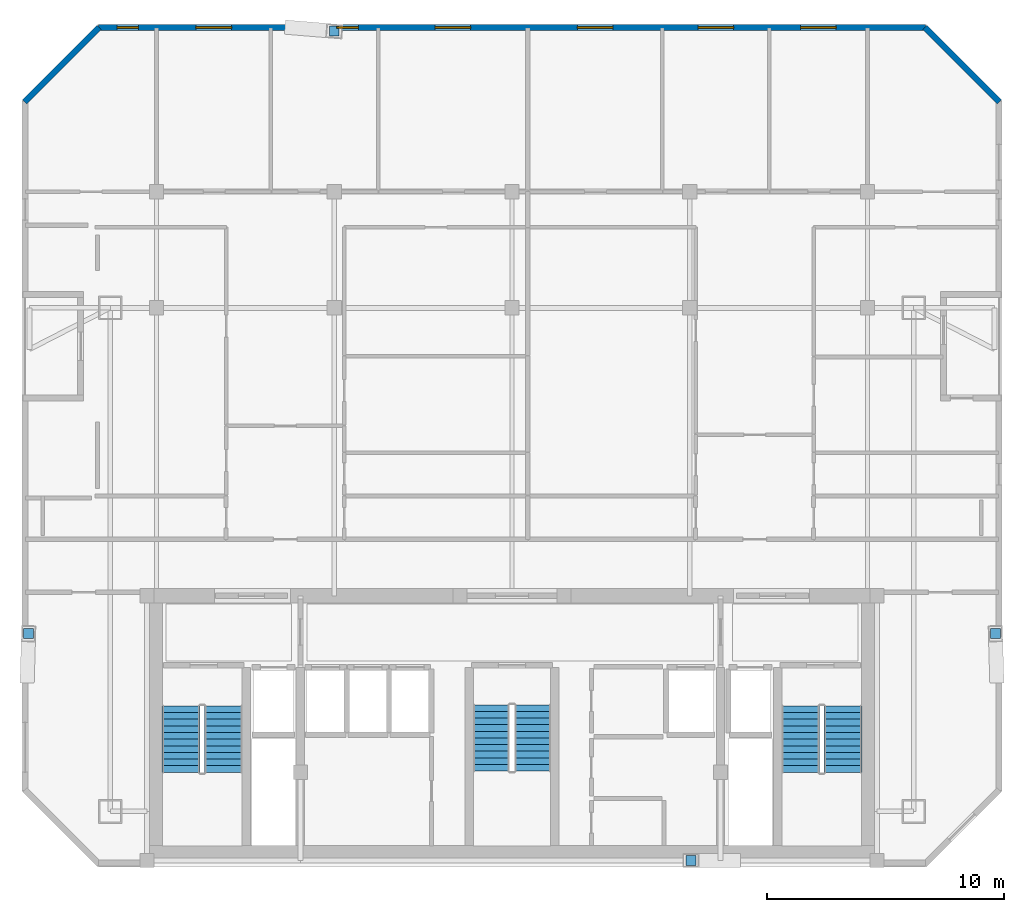
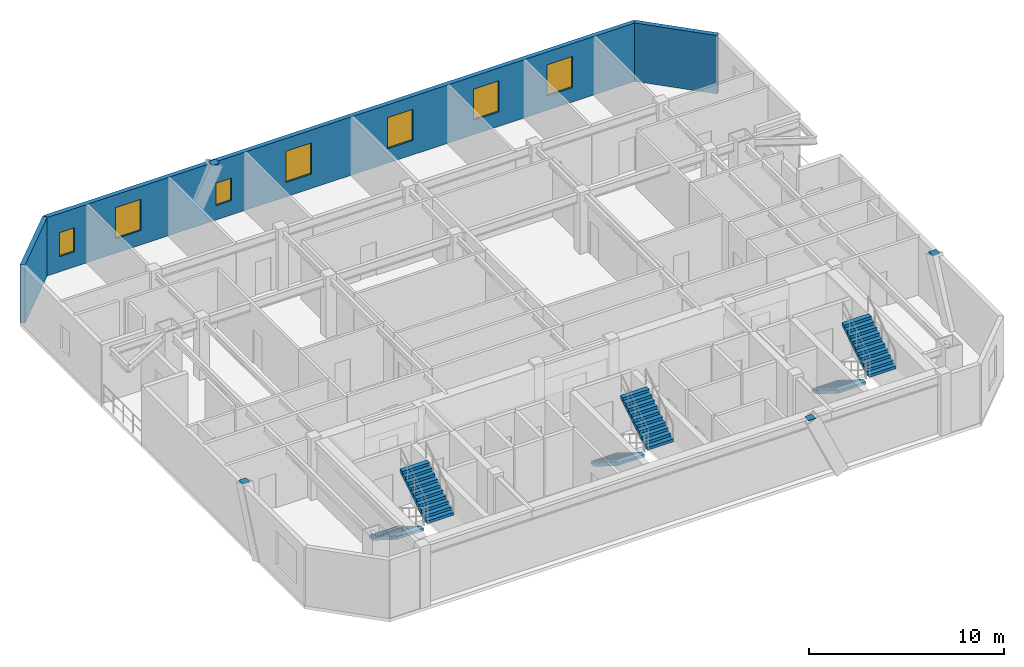
# One storey, part 6 of 7: 7 windows, 6 stair flights, 4 discrete accessories, 3 walls, 7 openings, 3 elements without a shape of their own.
"""IFC4 building model written with IfcOpenShell, lengths in metres."""

from ifc_helpers import new_model, si_unit, direction, frame, frame_2d, origin, origin_2d, place, context, subcontext, project, spatial, polyline, rectangle, outline, extrude, material, layer, layer_set, type_object, element, fill, aggregate, save


model = new_model("IFC4")

# Units and contexts
model_context = context("Model", 3, precision=1e-05, world=origin(), true_north=direction((0.0, 1.0)))
body_context = subcontext(model_context, "Body", "Model", "MODEL_VIEW")
ifc_project = project(units=[si_unit("LENGTHUNIT", "METRE"), si_unit("AREAUNIT", "SQUARE_METRE"), si_unit("VOLUMEUNIT", "CUBIC_METRE"), si_unit("PLANEANGLEUNIT", "RADIAN"), si_unit("MASSUNIT", "GRAM", prefix="KILO")], contexts=[model_context])

# Site, building, storey
site_placement = place(None, origin())
site = spatial("IfcSite", under=ifc_project, at=site_placement, CompositionType="ELEMENT")
building_placement = place(site_placement, origin())
building = spatial("IfcBuilding", under=site, at=building_placement, Name="Ventersveld Concourse Tower", CompositionType="ELEMENT")
storey_placement = place(building_placement, frame((0.0, 0.0, 264.449951171875)))
storey = spatial("IfcBuildingStorey", under=building, at=storey_placement, Name="L65", CompositionType="ELEMENT", Elevation=264.449951171875)

# Wall
ifc_material_1 = material(Name="Precast concrete C45/55", Category="concrete")
ifc_layer = layer(ifc_material_1, 0.260009765625)
ifc_layer_set = layer_set([ifc_layer], Name="Precast concrete C45/55")
wall_type = type_object("IfcWallType", Name="WL-PREC-260", PredefinedType="SOLIDWALL", material=ifc_layer_set)
wall_1_placement = place(storey_placement, frame((49.31103515625, 32.29150390625, 0.0), z_axis=(0.0, 0.0, 1.0), x_axis=(-0.707134240044, 0.707079321262, 0.0)))
element("IfcWall", 1, at=wall_1_placement, inside=storey, type_object=wall_type, Name="L65 Highveld Precast Facade Wall E08", PredefinedType="SOLIDWALL", context=body_context, shape_type="SweptSolid", body=[
    extrude(rectangle(XDim=4.445556640625, YDim=0.260009765625, at=frame_2d((2.22265625, 0.0))), origin(), (0.0, 0.0, 1.0), 3.650146484375),
])

# Wall, openings, windows
wall_2_placement = place(storey_placement, frame((46.191162109375, 35.425048828125, 0.0), z_axis=(0.0, 0.0, 1.0), x_axis=(-1.0, 0.0, 0.0)))
wall_2 = element("IfcWall", 2, at=wall_2_placement, inside=storey, type_object=wall_type, Name="L65 Highveld Precast Facade Wall E09", PredefinedType="SOLIDWALL", context=body_context, shape_type="SweptSolid", body=[
    extrude(rectangle(XDim=34.88232421875, YDim=0.260009765625, at=frame_2d((17.441162109375, 0.0))), origin(), (0.0, 0.0, 1.0), 3.650146484375),
])
opening_1_placement = place(wall_2_placement, frame((33.202392578125, 0.0, 0.949951171875)))
opening_1 = element("IfcOpeningElement", 3, at=opening_1_placement, cuts=wall_2, Name="Opening W4", PredefinedType="OPENING", context=body_context, shape_type="SweptSolid", body=[
    extrude(rectangle(XDim=0.89990234375, YDim=1.5, at=frame_2d((0.449951171875, 0.75))), frame((0.0, 0.14013671875, 0.0), z_axis=(0.0, -1.0, 0.0), x_axis=(1.0, 0.0, 0.0)), (0.0, 0.0, 1.0), 0.280029296875),
])
opening_2_placement = place(wall_2_placement, frame((29.276611328125, 0.0, 0.89990234375)))
opening_2 = element("IfcOpeningElement", 4, at=opening_2_placement, cuts=wall_2, Name="Opening W1", PredefinedType="OPENING", context=body_context, shape_type="SweptSolid", body=[
    extrude(rectangle(XDim=1.5, YDim=1.949951171875, at=frame_2d((0.75, 0.97509765625))), frame((0.0, 0.14013671875, 0.0), z_axis=(0.0, -1.0, 0.0), x_axis=(1.0, 0.0, 0.0)), (0.0, 0.0, 1.0), 0.280029296875),
])
opening_3_placement = place(wall_2_placement, frame((23.9267578125, 0.0, 0.89990234375)))
opening_3 = element("IfcOpeningElement", 5, at=opening_3_placement, cuts=wall_2, Name="Opening W8", PredefinedType="OPENING", context=body_context, shape_type="SweptSolid", body=[
    extrude(rectangle(XDim=0.89990234375, YDim=1.39990234375, at=frame_2d((0.449951171875, 0.699951171875))), frame((0.0, 0.14013671875, 0.0), z_axis=(0.0, -1.0, 0.0), x_axis=(1.0, 0.0, 0.0)), (0.0, 0.0, 1.0), 0.280029296875),
])
opening_4_placement = place(wall_2_placement, frame((19.183349609375, 0.0, 0.89990234375)))
opening_4 = element("IfcOpeningElement", 6, at=opening_4_placement, cuts=wall_2, Name="Opening W1", PredefinedType="OPENING", context=body_context, shape_type="SweptSolid", body=[
    extrude(rectangle(XDim=1.5, YDim=1.949951171875, at=frame_2d((0.75, 0.97509765625))), frame((0.0, 0.14013671875, 0.0), z_axis=(0.0, -1.0, 0.0), x_axis=(1.0, 0.0, 0.0)), (0.0, 0.0, 1.0), 0.280029296875),
])
opening_5_placement = place(wall_2_placement, frame((13.187744140625, 0.0, 0.89990234375)))
opening_5 = element("IfcOpeningElement", 7, at=opening_5_placement, cuts=wall_2, Name="Opening W1", PredefinedType="OPENING", context=body_context, shape_type="SweptSolid", body=[
    extrude(rectangle(XDim=1.5, YDim=1.949951171875, at=frame_2d((0.75, 0.97509765625))), frame((0.0, 0.14013671875, 0.0), z_axis=(0.0, -1.0, 0.0), x_axis=(1.0, 0.0, 0.0)), (0.0, 0.0, 1.0), 0.280029296875),
])
opening_6_placement = place(wall_2_placement, frame((8.092529296875, 0.0, 0.89990234375)))
opening_6 = element("IfcOpeningElement", 8, at=opening_6_placement, cuts=wall_2, Name="Opening W1", PredefinedType="OPENING", context=body_context, shape_type="SweptSolid", body=[
    extrude(rectangle(XDim=1.5, YDim=1.949951171875, at=frame_2d((0.75, 0.97509765625))), frame((0.0, 0.14013671875, 0.0), z_axis=(0.0, -1.0, 0.0), x_axis=(1.0, 0.0, 0.0)), (0.0, 0.0, 1.0), 0.280029296875),
])
opening_7_placement = place(wall_2_placement, frame((3.7626953125, 0.0, 0.89990234375)))
opening_7 = element("IfcOpeningElement", 9, at=opening_7_placement, cuts=wall_2, Name="Opening W1", PredefinedType="OPENING", context=body_context, shape_type="SweptSolid", body=[
    extrude(rectangle(XDim=1.5, YDim=1.949951171875, at=frame_2d((0.75, 0.97509765625))), frame((0.0, 0.14013671875, 0.0), z_axis=(0.0, -1.0, 0.0), x_axis=(1.0, 0.0, 0.0)), (0.0, 0.0, 1.0), 0.280029296875),
])
ifc_material_2 = material(Name="Tempered acoustic Low-E IGU", Category="glass")
window_type_1 = type_object("IfcWindowType", Name="WIN-090x140", PartitioningType="SINGLE_PANEL", PredefinedType="WINDOW", material=ifc_material_2)
window_1_placement = place(opening_3_placement, origin())
window_1 = element("IfcWindow", 10, at=window_1_placement, inside=storey, type_object=window_type_1, Name="L65 Punched Low-E Window W-0926", OverallHeight=1.39990234375, OverallWidth=0.89990234375, PartitioningType="SINGLE_PANEL", PredefinedType="WINDOW", context=body_context, shape_type="SweptSolid", body=[
    extrude(rectangle(XDim=0.89990234375, YDim=1.39990234375, at=frame_2d((0.449951171875, 0.699951171875))), frame((0.0, 0.030029296875, 0.0), z_axis=(0.0, -1.0, 0.0), x_axis=(1.0, 0.0, 0.0)), (0.0, 0.0, 1.0), 0.06005859375),
])
fill(opening_3, window_1)
window_type_2 = type_object("IfcWindowType", Name="WIN-090x150", PartitioningType="SINGLE_PANEL", PredefinedType="WINDOW", material=ifc_material_2)
window_2_placement = place(opening_1_placement, origin())
window_2 = element("IfcWindow", 11, at=window_2_placement, inside=storey, type_object=window_type_2, Name="L65 Punched Low-E Window W-0924", OverallHeight=1.5, OverallWidth=0.89990234375, PartitioningType="SINGLE_PANEL", PredefinedType="WINDOW", context=body_context, shape_type="SweptSolid", body=[
    extrude(rectangle(XDim=0.89990234375, YDim=1.5, at=frame_2d((0.449951171875, 0.75))), frame((0.0, 0.030029296875, 0.0), z_axis=(0.0, -1.0, 0.0), x_axis=(1.0, 0.0, 0.0)), (0.0, 0.0, 1.0), 0.06005859375),
])
fill(opening_1, window_2)
window_type_3 = type_object("IfcWindowType", Name="WIN-150x210", PartitioningType="SINGLE_PANEL", PredefinedType="WINDOW", material=ifc_material_2)
window_3_placement = place(opening_2_placement, origin())
window_3 = element("IfcWindow", 12, at=window_3_placement, inside=storey, type_object=window_type_3, Name="L65 Punched Low-E Window W-0925", OverallHeight=1.949951171875, OverallWidth=1.5, PartitioningType="SINGLE_PANEL", PredefinedType="WINDOW", context=body_context, shape_type="SweptSolid", body=[
    extrude(rectangle(XDim=1.5, YDim=1.949951171875, at=frame_2d((0.75, 0.97509765625))), frame((0.0, 0.030029296875, 0.0), z_axis=(0.0, -1.0, 0.0), x_axis=(1.0, 0.0, 0.0)), (0.0, 0.0, 1.0), 0.06005859375),
])
fill(opening_2, window_3)
window_4_placement = place(opening_4_placement, origin())
window_4 = element("IfcWindow", 13, at=window_4_placement, inside=storey, type_object=window_type_3, Name="L65 Punched Low-E Window W-0927", OverallHeight=1.949951171875, OverallWidth=1.5, PartitioningType="SINGLE_PANEL", PredefinedType="WINDOW", context=body_context, shape_type="SweptSolid", body=[
    extrude(rectangle(XDim=1.5, YDim=1.949951171875, at=frame_2d((0.75, 0.97509765625))), frame((0.0, 0.030029296875, 0.0), z_axis=(0.0, -1.0, 0.0), x_axis=(1.0, 0.0, 0.0)), (0.0, 0.0, 1.0), 0.06005859375),
])
fill(opening_4, window_4)
window_5_placement = place(opening_5_placement, origin())
window_5 = element("IfcWindow", 14, at=window_5_placement, inside=storey, type_object=window_type_3, Name="L65 Punched Low-E Window W-0931", OverallHeight=1.949951171875, OverallWidth=1.5, PartitioningType="SINGLE_PANEL", PredefinedType="WINDOW", context=body_context, shape_type="SweptSolid", body=[
    extrude(rectangle(XDim=1.5, YDim=1.949951171875, at=frame_2d((0.75, 0.97509765625))), frame((0.0, 0.030029296875, 0.0), z_axis=(0.0, -1.0, 0.0), x_axis=(1.0, 0.0, 0.0)), (0.0, 0.0, 1.0), 0.06005859375),
])
fill(opening_5, window_5)
window_6_placement = place(opening_6_placement, origin())
window_6 = element("IfcWindow", 15, at=window_6_placement, inside=storey, type_object=window_type_3, Name="L65 Punched Low-E Window W-0932", OverallHeight=1.949951171875, OverallWidth=1.5, PartitioningType="SINGLE_PANEL", PredefinedType="WINDOW", context=body_context, shape_type="SweptSolid", body=[
    extrude(rectangle(XDim=1.5, YDim=1.949951171875, at=frame_2d((0.75, 0.97509765625))), frame((0.0, 0.030029296875, 0.0), z_axis=(0.0, -1.0, 0.0), x_axis=(1.0, 0.0, 0.0)), (0.0, 0.0, 1.0), 0.06005859375),
])
fill(opening_6, window_6)
window_7_placement = place(opening_7_placement, origin())
window_7 = element("IfcWindow", 16, at=window_7_placement, inside=storey, type_object=window_type_3, Name="L65 Punched Low-E Window W-0933", OverallHeight=1.949951171875, OverallWidth=1.5, PartitioningType="SINGLE_PANEL", PredefinedType="WINDOW", context=body_context, shape_type="SweptSolid", body=[
    extrude(rectangle(XDim=1.5, YDim=1.949951171875, at=frame_2d((0.75, 0.97509765625))), frame((0.0, 0.030029296875, 0.0), z_axis=(0.0, -1.0, 0.0), x_axis=(1.0, 0.0, 0.0)), (0.0, 0.0, 1.0), 0.06005859375),
])
fill(opening_7, window_7)

# Wall
wall_3_placement = place(storey_placement, frame((11.33251953125, 35.434814453125, 0.0), z_axis=(0.0, 0.0, 1.0), x_axis=(-0.707134240044, -0.707079321262, 0.0)))
element("IfcWall", 17, at=wall_3_placement, inside=storey, type_object=wall_type, Name="L65 Highveld Precast Facade Wall E10", PredefinedType="SOLIDWALL", context=body_context, shape_type="SweptSolid", body=[
    extrude(rectangle(XDim=4.445556640625, YDim=0.260009765625, at=frame_2d((2.22265625, 0.0))), origin(), (0.0, 0.0, 1.0), 3.650146484375),
])

# Stair, stair flights
ifc_material_3 = material(Name="Concrete C50/60", Category="concrete")
stair_type_1 = type_object("IfcStairType", Name="ST-DOG-155", PredefinedType="HALF_TURN_STAIR", material=ifc_material_3)
stair_1_placement = place(storey_placement, origin())
stair_1 = element("IfcStair", 18, at=stair_1_placement, inside=storey, type_object=stair_type_1, Name="L65 Protected Central Core Escape Stair ST-03", PredefinedType="HALF_TURN_STAIR")
stair_flight_type_1 = type_object("IfcStairFlightType", Name="STF-RC-155", PredefinedType="STRAIGHT", material=ifc_material_3)
stair_flight_1_placement = place(storey_placement, frame((27.875, 6.85009765625, 0.0), z_axis=(0.0, 0.0, 1.0), x_axis=(0.0, -1.0, 0.0)))
stair_flight_1 = element("IfcStairFlight", 19, at=stair_flight_1_placement, type_object=stair_flight_type_1, Name="ST-03 flight 1", NumberOfRisers=11, NumberOfTreads=10, PredefinedType="STRAIGHT", RiserHeight=0.175, TreadLength=0.28, context=body_context, shape_type="SweptSolid", body=[
    extrude(outline(polyline([(0.0, 0.0), (0.0, 0.175048828125), (0.280029296875, 0.175048828125), (0.280029296875, 0.35009765625), (0.56005859375, 0.35009765625), (0.56005859375, 0.52490234375), (0.840087890625, 0.52490234375), (0.840087890625, 0.699951171875), (1.1201171875, 0.699951171875), (1.1201171875, 0.875), (1.39990234375, 0.875), (1.39990234375, 1.050048828125), (1.679931640625, 1.050048828125), (1.679931640625, 1.22509765625), (1.9599609375, 1.22509765625), (1.9599609375, 1.39990234375), (2.239990234375, 1.39990234375), (2.239990234375, 1.574951171875), (2.52001953125, 1.574951171875), (2.52001953125, 1.75), (2.800048828125, 1.75), (2.800048828125, 1.925048828125), (2.800048828125, 1.5732421875), (0.28271484375, 0.0), (0.0, 0.0)])), frame((0.0, 0.77490234375, 0.0), z_axis=(0.0, -1.0, 0.0), x_axis=(1.0, 0.0, 0.0)), (0.0, 0.0, 1.0), 1.550048828125),
])
stair_flight_2_placement = place(storey_placement, frame((29.625, 4.050048828125, 1.925048828125), z_axis=(0.0, 0.0, 1.0), x_axis=(0.0, 1.0, 0.0)))
stair_flight_2 = element("IfcStairFlight", 20, at=stair_flight_2_placement, type_object=stair_flight_type_1, Name="ST-03 flight 2", NumberOfRisers=11, NumberOfTreads=10, PredefinedType="STRAIGHT", RiserHeight=0.175, TreadLength=0.28, context=body_context, shape_type="SweptSolid", body=[
    extrude(outline(polyline([(0.0, 0.0), (0.0, 0.175048828125), (0.280029296875, 0.175048828125), (0.280029296875, 0.35009765625), (0.56005859375, 0.35009765625), (0.56005859375, 0.52490234375), (0.840087890625, 0.52490234375), (0.840087890625, 0.699951171875), (1.1201171875, 0.699951171875), (1.1201171875, 0.875), (1.39990234375, 0.875), (1.39990234375, 1.050048828125), (1.679931640625, 1.050048828125), (1.679931640625, 1.22509765625), (1.9599609375, 1.22509765625), (1.9599609375, 1.39990234375), (2.239990234375, 1.39990234375), (2.239990234375, 1.574951171875), (2.52001953125, 1.574951171875), (2.52001953125, 1.75), (2.800048828125, 1.75), (2.800048828125, 1.925048828125), (2.800048828125, 1.5732421875), (0.28271484375, 0.0), (0.0, 0.0)])), frame((0.0, 0.77490234375, 0.0), z_axis=(0.0, -1.0, 0.0), x_axis=(1.0, 0.0, 0.0)), (0.0, 0.0, 1.0), 1.550048828125),
])
aggregate(stair_1, [stair_flight_1, stair_flight_2])

stair_type_2 = type_object("IfcStairType", Name="ST-DOG-160", PredefinedType="HALF_TURN_STAIR", material=ifc_material_3)
stair_2_placement = place(storey_placement, origin())
stair_2 = element("IfcStair", 21, at=stair_2_placement, inside=storey, type_object=stair_type_2, Name="L65 Protected Tower Escape Stair ST-01", PredefinedType="HALF_TURN_STAIR")
stair_flight_type_2 = type_object("IfcStairFlightType", Name="STF-RC-160", PredefinedType="STRAIGHT", material=ifc_material_3)
stair_flight_3_placement = place(storey_placement, frame((14.780029296875, 6.800048828125, 0.0), z_axis=(0.0, 0.0, 1.0), x_axis=(0.0, -1.0, 0.0)))
stair_flight_3 = element("IfcStairFlight", 22, at=stair_flight_3_placement, type_object=stair_flight_type_2, Name="ST-01 flight 1", NumberOfRisers=11, NumberOfTreads=10, PredefinedType="STRAIGHT", RiserHeight=0.175, TreadLength=0.28, context=body_context, shape_type="SweptSolid", body=[
    extrude(outline(polyline([(0.0, 0.0), (0.0, 0.175048828125), (0.280029296875, 0.175048828125), (0.280029296875, 0.35009765625), (0.56005859375, 0.35009765625), (0.56005859375, 0.52490234375), (0.840087890625, 0.52490234375), (0.840087890625, 0.699951171875), (1.1201171875, 0.699951171875), (1.1201171875, 0.875), (1.39990234375, 0.875), (1.39990234375, 1.050048828125), (1.679931640625, 1.050048828125), (1.679931640625, 1.22509765625), (1.9599609375, 1.22509765625), (1.9599609375, 1.39990234375), (2.239990234375, 1.39990234375), (2.239990234375, 1.574951171875), (2.52001953125, 1.574951171875), (2.52001953125, 1.75), (2.800048828125, 1.75), (2.800048828125, 1.925048828125), (2.800048828125, 1.5732421875), (0.28271484375, 0.0), (0.0, 0.0)])), frame((0.0, 0.800048828125, 0.0), z_axis=(0.0, -1.0, 0.0), x_axis=(1.0, 0.0, 0.0)), (0.0, 0.0, 1.0), 1.60009765625),
])
stair_flight_4_placement = place(storey_placement, frame((16.580078125, 4.0, 1.925048828125), z_axis=(0.0, 0.0, 1.0), x_axis=(0.0, 1.0, 0.0)))
stair_flight_4 = element("IfcStairFlight", 23, at=stair_flight_4_placement, type_object=stair_flight_type_2, Name="ST-01 flight 2", NumberOfRisers=11, NumberOfTreads=10, PredefinedType="STRAIGHT", RiserHeight=0.175, TreadLength=0.28, context=body_context, shape_type="SweptSolid", body=[
    extrude(outline(polyline([(0.0, 0.0), (0.0, 0.175048828125), (0.280029296875, 0.175048828125), (0.280029296875, 0.35009765625), (0.56005859375, 0.35009765625), (0.56005859375, 0.52490234375), (0.840087890625, 0.52490234375), (0.840087890625, 0.699951171875), (1.1201171875, 0.699951171875), (1.1201171875, 0.875), (1.39990234375, 0.875), (1.39990234375, 1.050048828125), (1.679931640625, 1.050048828125), (1.679931640625, 1.22509765625), (1.9599609375, 1.22509765625), (1.9599609375, 1.39990234375), (2.239990234375, 1.39990234375), (2.239990234375, 1.574951171875), (2.52001953125, 1.574951171875), (2.52001953125, 1.75), (2.800048828125, 1.75), (2.800048828125, 1.925048828125), (2.800048828125, 1.5732421875), (0.28271484375, 0.0), (0.0, 0.0)])), frame((0.0, 0.800048828125, 0.0), z_axis=(0.0, -1.0, 0.0), x_axis=(1.0, 0.0, 0.0)), (0.0, 0.0, 1.0), 1.60009765625),
])
aggregate(stair_2, [stair_flight_3, stair_flight_4])

stair_3_placement = place(storey_placement, origin())
stair_3 = element("IfcStair", 24, at=stair_3_placement, inside=storey, type_object=stair_type_2, Name="L65 Protected Tower Escape Stair ST-02", PredefinedType="HALF_TURN_STAIR")
stair_flight_5_placement = place(storey_placement, frame((40.919921875, 6.800048828125, 0.0), z_axis=(0.0, 0.0, 1.0), x_axis=(0.0, -1.0, 0.0)))
stair_flight_5 = element("IfcStairFlight", 25, at=stair_flight_5_placement, type_object=stair_flight_type_2, Name="ST-02 flight 1", NumberOfRisers=11, NumberOfTreads=10, PredefinedType="STRAIGHT", RiserHeight=0.175, TreadLength=0.28, context=body_context, shape_type="SweptSolid", body=[
    extrude(outline(polyline([(0.0, 0.0), (0.0, 0.175048828125), (0.280029296875, 0.175048828125), (0.280029296875, 0.35009765625), (0.56005859375, 0.35009765625), (0.56005859375, 0.52490234375), (0.840087890625, 0.52490234375), (0.840087890625, 0.699951171875), (1.1201171875, 0.699951171875), (1.1201171875, 0.875), (1.39990234375, 0.875), (1.39990234375, 1.050048828125), (1.679931640625, 1.050048828125), (1.679931640625, 1.22509765625), (1.9599609375, 1.22509765625), (1.9599609375, 1.39990234375), (2.239990234375, 1.39990234375), (2.239990234375, 1.574951171875), (2.52001953125, 1.574951171875), (2.52001953125, 1.75), (2.800048828125, 1.75), (2.800048828125, 1.925048828125), (2.800048828125, 1.5732421875), (0.28271484375, 0.0), (0.0, 0.0)])), frame((0.0, 0.800048828125, 0.0), z_axis=(0.0, -1.0, 0.0), x_axis=(1.0, 0.0, 0.0)), (0.0, 0.0, 1.0), 1.60009765625),
])
stair_flight_6_placement = place(storey_placement, frame((42.719970703125, 4.0, 1.925048828125), z_axis=(0.0, 0.0, 1.0), x_axis=(0.0, 1.0, 0.0)))
stair_flight_6 = element("IfcStairFlight", 26, at=stair_flight_6_placement, type_object=stair_flight_type_2, Name="ST-02 flight 2", NumberOfRisers=11, NumberOfTreads=10, PredefinedType="STRAIGHT", RiserHeight=0.175, TreadLength=0.28, context=body_context, shape_type="SweptSolid", body=[
    extrude(outline(polyline([(0.0, 0.0), (0.0, 0.175048828125), (0.280029296875, 0.175048828125), (0.280029296875, 0.35009765625), (0.56005859375, 0.35009765625), (0.56005859375, 0.52490234375), (0.840087890625, 0.52490234375), (0.840087890625, 0.699951171875), (1.1201171875, 0.699951171875), (1.1201171875, 0.875), (1.39990234375, 0.875), (1.39990234375, 1.050048828125), (1.679931640625, 1.050048828125), (1.679931640625, 1.22509765625), (1.9599609375, 1.22509765625), (1.9599609375, 1.39990234375), (2.239990234375, 1.39990234375), (2.239990234375, 1.574951171875), (2.52001953125, 1.574951171875), (2.52001953125, 1.75), (2.800048828125, 1.75), (2.800048828125, 1.925048828125), (2.800048828125, 1.5732421875), (0.28271484375, 0.0), (0.0, 0.0)])), frame((0.0, 0.800048828125, 0.0), z_axis=(0.0, -1.0, 0.0), x_axis=(1.0, 0.0, 0.0)), (0.0, 0.0, 1.0), 1.60009765625),
])
aggregate(stair_3, [stair_flight_5, stair_flight_6])

# Discrete accessories
ifc_material_4 = material(Name="Structural steel S355J2", Category="steel")
discrete_accessory_type = type_object("IfcDiscreteAccessoryType", Name="CONN-BRACE-ECP1", PredefinedType="BRACKET", material=ifc_material_4)
for number, where, z_axis, x_axis, name in (
    (27, (21.25, 35.27490234375, 3.630126953125), (0.0, 0.0, 1.0), (1.0, 0.0, 0.0), "L65 Steel Brace End Connection Plate ECP1-0439"),
    (28, (36.300048828125, 0.280029296875, 3.630126953125), (0.0, 0.0, 1.0), (1.0, 0.0, 0.0), "L65 Steel Brace End Connection Plate ECP1-0443"),
    (29, (8.348876953125, 9.85009765625, 3.630126953125), (0.0, 0.0, 1.0), (1.0, 0.0, 0.0), "L65 Steel Brace End Connection Plate ECP1-0447"),
    (30, (49.151123046875, 9.85009765625, 3.630126953125), (0.0, 0.0, 1.0), (1.0, 0.0, 0.0), "L65 Steel Brace End Connection Plate ECP1-0451"),
):
    element("IfcDiscreteAccessory", number, at=place(storey_placement, frame(where, z_axis=z_axis, x_axis=x_axis)), inside=storey, type_object=discrete_accessory_type, Name=name, PredefinedType="BRACKET", context=body_context, shape_type="SweptSolid", body=[
        extrude(rectangle(XDim=0.419921875, YDim=0.419921875, at=origin_2d()), origin(), (0.0, 0.0, 1.0), 0.0400390625),
    ])

save(model, "model.ifc")
